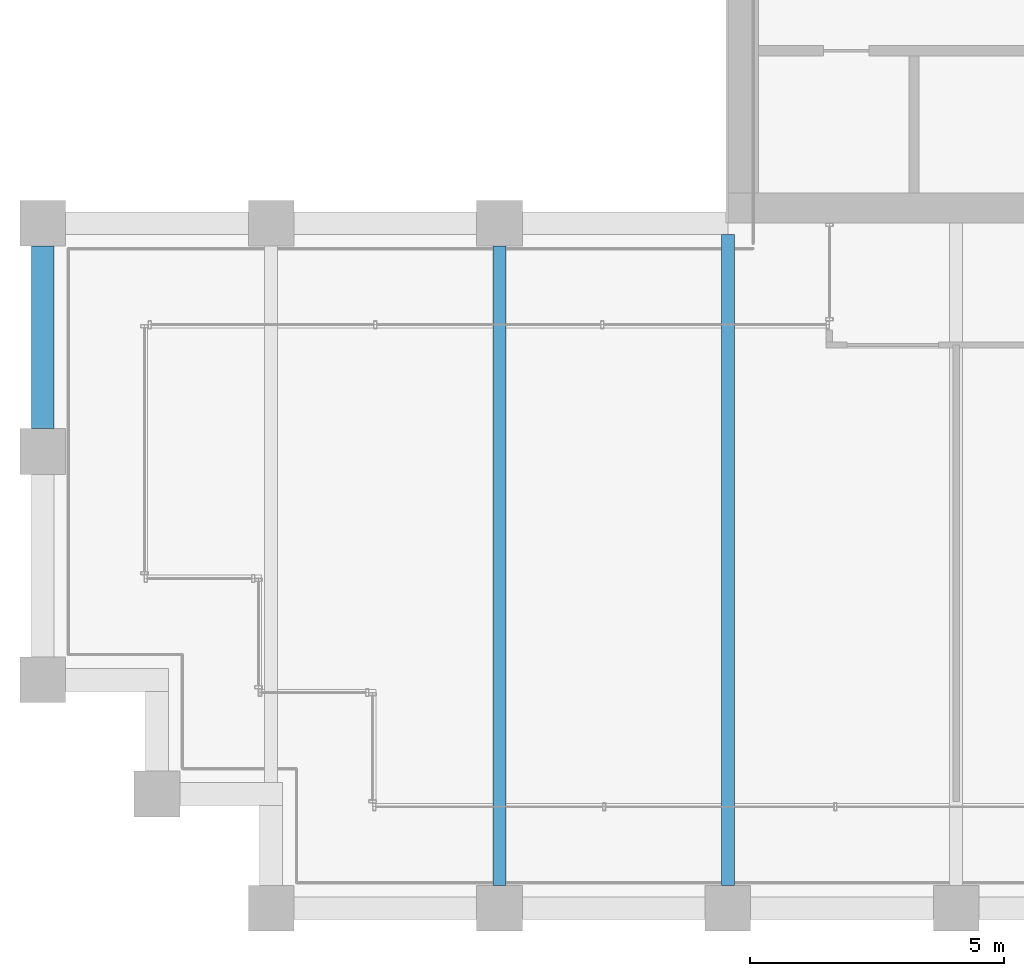
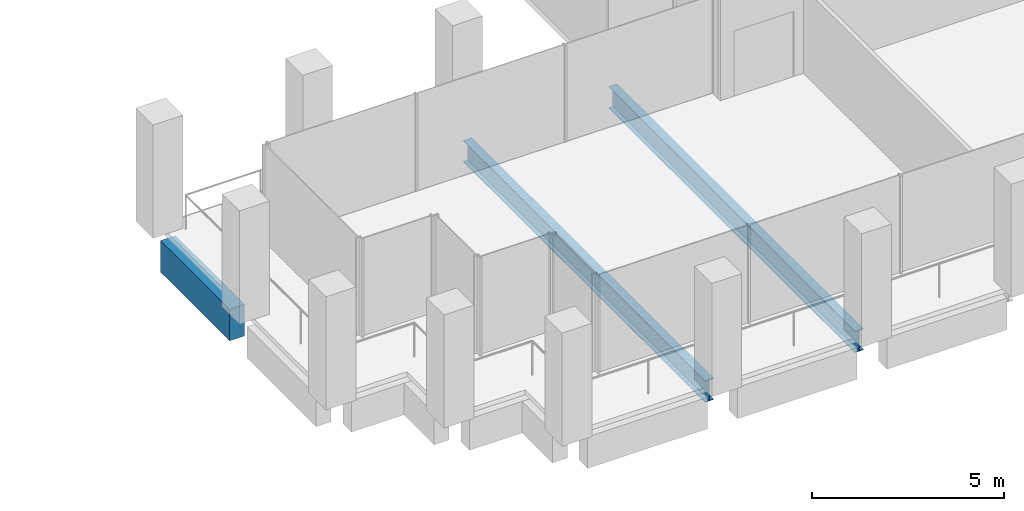
# One storey, part 4 of 40: 3 beams.
"""IFC4 building model written with IfcOpenShell, lengths in metres."""

from ifc_helpers import new_model, si_unit, direction, frame, origin, origin_2d, place, context, subcontext, project, spatial, rectangle, i_section, extrude, material, material_profile, profile_set, type_object, element, save


model = new_model("IFC4")

# Units and contexts
model_context = context("Model", 3, precision=1e-05, world=origin(), true_north=direction((0.0, 1.0)))
body_context = subcontext(model_context, "Body", "Model", "MODEL_VIEW")
ifc_project = project(units=[si_unit("LENGTHUNIT", "METRE"), si_unit("AREAUNIT", "SQUARE_METRE"), si_unit("VOLUMEUNIT", "CUBIC_METRE"), si_unit("PLANEANGLEUNIT", "RADIAN"), si_unit("MASSUNIT", "GRAM", prefix="KILO")], contexts=[model_context])

# Site, building, storey
site_placement = place(None, origin())
site = spatial("IfcSite", under=ifc_project, at=site_placement, CompositionType="ELEMENT")
building_placement = place(site_placement, origin())
building = spatial("IfcBuilding", under=site, at=building_placement, Name="Altepetl Exchange Towers", CompositionType="ELEMENT")
storey_placement = place(building_placement, frame((0.0, 0.0, 176.199951171875)))
storey = spatial("IfcBuildingStorey", under=building, at=storey_placement, Name="L44", CompositionType="ELEMENT", Elevation=176.199951171875)

# Beams
ifc_material_1 = material(Name="Steel S355", Category="steel")
ifc_material_profile_1 = material_profile(ifc_material_1, i_section(OverallWidth=0.25390625, OverallDepth=0.68408203125, WebThickness=0.012451171875, FlangeThickness=0.018798828125, at=origin_2d()), Name="W27X94")
ifc_profile_set_1 = profile_set([ifc_material_profile_1], Name="Steel S355")
beam_type_1 = type_object("IfcBeamType", Name="Floor beam W27X94", PredefinedType="BEAM", material=ifc_profile_set_1)
beam_1_placement = place(storey_placement, frame((36.0, 27.449951171875, -0.491943359375), z_axis=(0.0, 1.0, 0.0), x_axis=(-1.0, 0.0, 0.0)))
element("IfcBeam", 1, at=beam_1_placement, inside=storey, type_object=beam_type_1, Name="bm:A:L44:013", PredefinedType="BEAM", context=body_context, shape_type="SweptSolid", body=[
    extrude(i_section(OverallWidth=0.25390625, OverallDepth=0.68408203125, WebThickness=0.012451171875, FlangeThickness=0.018798828125, at=origin_2d()), origin(), (0.0, 0.0, 1.0), 12.60009765625),
])
beam_2_placement = place(storey_placement, frame((40.5, 27.449951171875, -0.491943359375), z_axis=(0.0, 1.0, 0.0), x_axis=(-1.0, 0.0, 0.0)))
element("IfcBeam", 2, at=beam_2_placement, inside=storey, type_object=beam_type_1, Name="bm:A:L44:014", PredefinedType="BEAM", context=body_context, shape_type="SweptSolid", body=[
    extrude(i_section(OverallWidth=0.25390625, OverallDepth=0.68408203125, WebThickness=0.012451171875, FlangeThickness=0.018798828125, at=origin_2d()), origin(), (0.0, 0.0, 1.0), 12.824951171875),
])
ifc_material_2 = material(Name="Concrete C50/60 precast with cantera blanca facing", Category="concrete")
ifc_material_profile_2 = material_profile(ifc_material_2, rectangle(XDim=0.449951171875, YDim=1.0, at=origin_2d()), Name="450 x 1000")
ifc_profile_set_2 = profile_set([ifc_material_profile_2], Name="Concrete C50/60 precast with cantera blanca facing")
beam_type_2 = type_object("IfcBeamType", Name="Spandrel beam 450x1000 cantera blanca", PredefinedType="SPANDREL", material=ifc_profile_set_2)
beam_3_placement = place(storey_placement, frame((27.0, 40.050048828125, -0.64990234375), z_axis=(0.0, -1.0, 0.0), x_axis=(1.0, 0.0, 0.0)))
element("IfcBeam", 3, at=beam_3_placement, inside=storey, type_object=beam_type_2, Name="sp:A:L44:036", PredefinedType="SPANDREL", context=body_context, shape_type="SweptSolid", body=[
    extrude(rectangle(XDim=0.449951171875, YDim=1.0, at=origin_2d()), origin(), (0.0, 0.0, 1.0), 3.60009765625),
])

save(model, "model.ifc")
